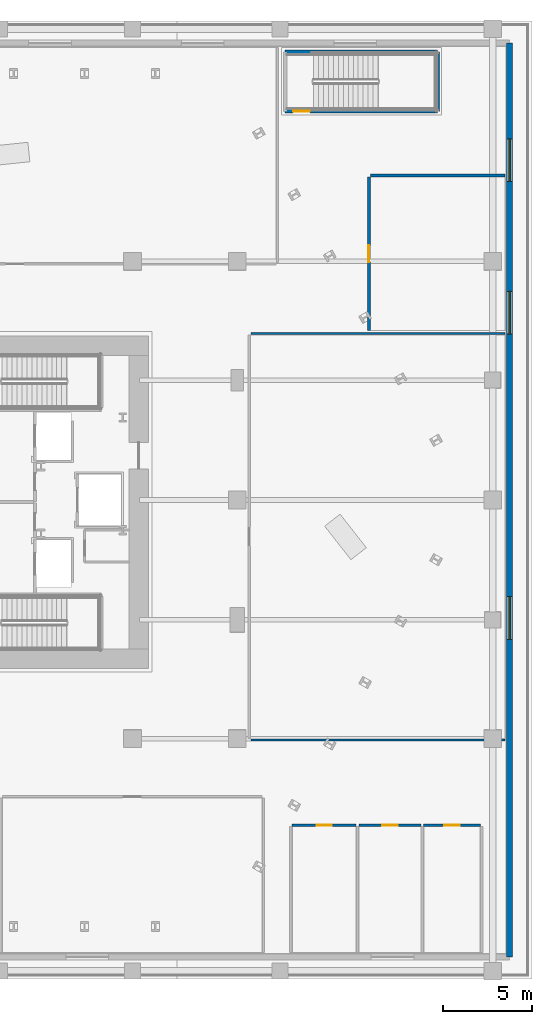
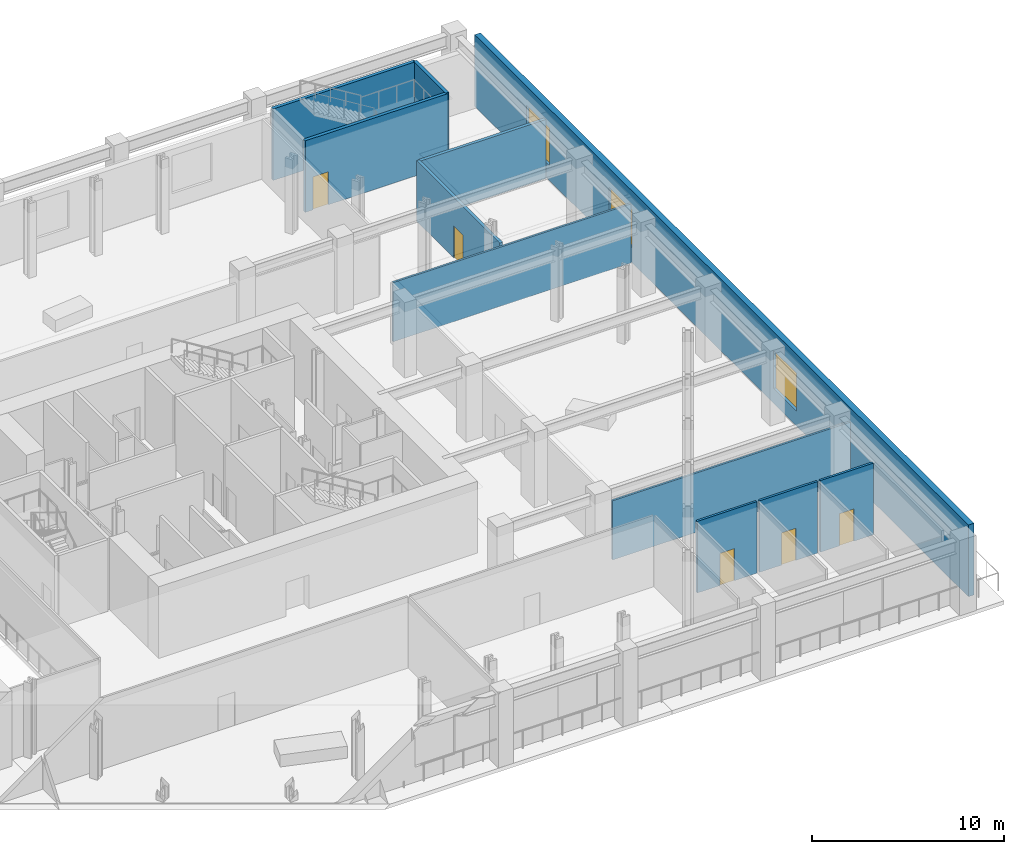
# One storey, part 7 of 19: 11 walls, 5 doors, 3 windows, 8 openings.
"""IFC4 building model written with IfcOpenShell, lengths in metres."""

from ifc_helpers import new_model, si_unit, direction, frame, frame_2d, origin, place, context, subcontext, project, spatial, rectangle, extrude, material, layer, layer_set, type_object, element, fill, save


model = new_model("IFC4")

# Units and contexts
model_context = context("Model", 3, precision=1e-05, world=origin(), true_north=direction((0.0, 1.0)))
body_context = subcontext(model_context, "Body", "Model", "MODEL_VIEW")
ifc_project = project(units=[si_unit("LENGTHUNIT", "METRE"), si_unit("AREAUNIT", "SQUARE_METRE"), si_unit("VOLUMEUNIT", "CUBIC_METRE"), si_unit("PLANEANGLEUNIT", "RADIAN"), si_unit("MASSUNIT", "GRAM", prefix="KILO")], contexts=[model_context])

# Site, building, storey
site_placement = place(None, origin())
site = spatial("IfcSite", under=ifc_project, at=site_placement, CompositionType="ELEMENT")
building_placement = place(site_placement, origin())
building = spatial("IfcBuilding", under=site, at=building_placement, Name="Valkerne Bourse Tower", CompositionType="ELEMENT")
storey_placement = place(building_placement, frame((0.0, 0.0, 5.39990234375)))
storey = spatial("IfcBuildingStorey", under=building, at=storey_placement, Name="L01", CompositionType="ELEMENT", Elevation=5.39990234375)

# Walls
ifc_material_1 = material(Name="Gypsum Board Steel-Stud Partition", Category="steel")
ifc_layer_1 = layer(ifc_material_1, 0.117919921875)
ifc_layer_set_1 = layer_set([ifc_layer_1], Name="Gypsum Board Steel-Stud Partition")
wall_type_1 = type_object("IfcWallType", Name="W-CORR-140", PredefinedType="PARTITIONING", material=ifc_layer_set_1)
for number, where, z_axis, x_axis, name in (
    (1, (62.179931640625, 36.3798828125, 0.0), (0.0, 0.0, 1.0), (1.0, 0.0, 0.0), "L01 L01 East Quantitative Analytics Office Wall"),
    (2, (62.179931640625, 13.47998046875, 0.0), (0.0, 0.0, 1.0), (1.0, 0.0, 0.0), "L01 L01 East Quantitative Analytics Office Wall"),
):
    element("IfcWall", number, at=place(storey_placement, frame(where, z_axis=z_axis, x_axis=x_axis)), inside=storey, type_object=wall_type_1, Name=name, PredefinedType="PARTITIONING", context=body_context, shape_type="SweptSolid", body=[
        extrude(rectangle(XDim=14.320068359375, YDim=0.117919921875, at=frame_2d((7.16015625, 0.0))), origin(), (0.0, 0.0, 1.0), 3.765380859375),
    ])

# Wall, openings, windows
ifc_material_2 = material(Name="Indiana Limestone Cladding", Category="masonry")
ifc_layer_2 = layer(ifc_material_2, 0.35009765625)
ifc_layer_set_2 = layer_set([ifc_layer_2], Name="Indiana Limestone Cladding")
wall_type_2 = type_object("IfcWallType", Name="W-EXT-LIMESTONE-350", PredefinedType="STANDARD", material=ifc_layer_set_2)
wall_1_placement = place(storey_placement, frame((76.75, 52.75, 0.0), z_axis=(0.0, 0.0, 1.0), x_axis=(0.0, -1.0, 0.0)))
wall_1 = element("IfcWall", 3, at=wall_1_placement, inside=storey, type_object=wall_type_2, Name="L01 Podium Exterior Wall EAST", PredefinedType="STANDARD", context=body_context, shape_type="SweptSolid", body=[
    extrude(rectangle(XDim=51.5, YDim=0.35009765625, at=frame_2d((25.75, 0.0))), origin(), (0.0, 0.0, 1.0), 4.56005859375),
])
opening_1_placement = place(wall_1_placement, frame((5.39990234375, 0.0, 0.949951171875)))
opening_1 = element("IfcOpeningElement", 4, at=opening_1_placement, cuts=wall_1, Name="Opening WN-02", PredefinedType="OPENING", context=body_context, shape_type="SweptSolid", body=[
    extrude(rectangle(XDim=2.39990234375, YDim=2.39990234375, at=frame_2d((1.199951171875, 1.199951171875))), frame((0.0, 0.18505859375, 0.0), z_axis=(0.0, -1.0, 0.0), x_axis=(1.0, 0.0, 0.0)), (0.0, 0.0, 1.0), 0.3701171875),
])
opening_2_placement = place(wall_1_placement, frame((14.0, 0.0, 0.949951171875)))
opening_2 = element("IfcOpeningElement", 5, at=opening_2_placement, cuts=wall_1, Name="Opening WN-02", PredefinedType="OPENING", context=body_context, shape_type="SweptSolid", body=[
    extrude(rectangle(XDim=2.39990234375, YDim=2.39990234375, at=frame_2d((1.199951171875, 1.199951171875))), frame((0.0, 0.18505859375, 0.0), z_axis=(0.0, -1.0, 0.0), x_axis=(1.0, 0.0, 0.0)), (0.0, 0.0, 1.0), 0.3701171875),
])
opening_3_placement = place(wall_1_placement, frame((31.199951171875, 0.0, 0.949951171875)))
opening_3 = element("IfcOpeningElement", 6, at=opening_3_placement, cuts=wall_1, Name="Opening WN-02", PredefinedType="OPENING", context=body_context, shape_type="SweptSolid", body=[
    extrude(rectangle(XDim=2.39990234375, YDim=2.39990234375, at=frame_2d((1.199951171875, 1.199951171875))), frame((0.0, 0.18505859375, 0.0), z_axis=(0.0, -1.0, 0.0), x_axis=(1.0, 0.0, 0.0)), (0.0, 0.0, 1.0), 0.3701171875),
])
ifc_material_3 = material(Name="Glass IGU Low-E Double Glazed", Category="glass")
window_type = type_object("IfcWindowType", Name="WIN-POD-2400X2400", PartitioningType="SINGLE_PANEL", PredefinedType="WINDOW", material=ifc_material_3)
window_1_placement = place(opening_1_placement, origin())
window_1 = element("IfcWindow", 7, at=window_1_placement, inside=storey, type_object=window_type, Name="L01 Podium Low-E Window 09", OverallHeight=2.39990234375, OverallWidth=2.39990234375, PartitioningType="SINGLE_PANEL", PredefinedType="WINDOW", context=body_context, shape_type="SweptSolid", body=[
    extrude(rectangle(XDim=2.39990234375, YDim=2.39990234375, at=frame_2d((1.199951171875, 1.199951171875))), frame((0.0, 0.030029296875, 0.0), z_axis=(0.0, -1.0, 0.0), x_axis=(1.0, 0.0, 0.0)), (0.0, 0.0, 1.0), 0.06005859375),
])
fill(opening_1, window_1)
window_2_placement = place(opening_2_placement, origin())
window_2 = element("IfcWindow", 8, at=window_2_placement, inside=storey, type_object=window_type, Name="L01 Podium Low-E Window 10", OverallHeight=2.39990234375, OverallWidth=2.39990234375, PartitioningType="SINGLE_PANEL", PredefinedType="WINDOW", context=body_context, shape_type="SweptSolid", body=[
    extrude(rectangle(XDim=2.39990234375, YDim=2.39990234375, at=frame_2d((1.199951171875, 1.199951171875))), frame((0.0, 0.030029296875, 0.0), z_axis=(0.0, -1.0, 0.0), x_axis=(1.0, 0.0, 0.0)), (0.0, 0.0, 1.0), 0.06005859375),
])
fill(opening_2, window_2)
window_3_placement = place(opening_3_placement, origin())
window_3 = element("IfcWindow", 9, at=window_3_placement, inside=storey, type_object=window_type, Name="L01 Podium Low-E Window 11", OverallHeight=2.39990234375, OverallWidth=2.39990234375, PartitioningType="SINGLE_PANEL", PredefinedType="WINDOW", context=body_context, shape_type="SweptSolid", body=[
    extrude(rectangle(XDim=2.39990234375, YDim=2.39990234375, at=frame_2d((1.199951171875, 1.199951171875))), frame((0.0, 0.030029296875, 0.0), z_axis=(0.0, -1.0, 0.0), x_axis=(1.0, 0.0, 0.0)), (0.0, 0.0, 1.0), 0.06005859375),
])
fill(opening_3, window_3)

# Wall
ifc_material_4 = material(Name="Gypsum Fire-Rated Shaftwall", Category="gypsum")
ifc_layer_3 = layer(ifc_material_4, 0.179931640625)
ifc_layer_set_3 = layer_set([ifc_layer_3], Name="Gypsum Fire-Rated Shaftwall")
wall_type_3 = type_object("IfcWallType", Name="W-FSAE-180", PredefinedType="PARTITIONING", material=ifc_layer_set_3)
wall_2_placement = place(storey_placement, frame((68.89990234375, 45.280029296875, 0.0), z_axis=(0.0, 0.0, 1.0), x_axis=(1.0, 0.0, 0.0)))
element("IfcWall", 10, at=wall_2_placement, inside=storey, type_object=wall_type_3, Name="L01 L01 Co-Location Server Room Wall", PredefinedType="PARTITIONING", context=body_context, shape_type="SweptSolid", body=[
    extrude(rectangle(XDim=7.60009765625, YDim=0.179931640625, at=frame_2d((3.800048828125, 0.0))), origin(), (0.0, 0.0, 1.0), 3.765380859375),
])

# Wall, opening, door
wall_3_placement = place(storey_placement, frame((68.820068359375, 36.550048828125, 0.0), z_axis=(0.0, 0.0, 1.0), x_axis=(0.0, 1.0, 0.0)))
wall_3 = element("IfcWall", 11, at=wall_3_placement, inside=storey, type_object=wall_type_3, Name="L01 L01 Co-Location Server Room Wall", PredefinedType="PARTITIONING", context=body_context, shape_type="SweptSolid", body=[
    extrude(rectangle(XDim=8.64990234375, YDim=0.179931640625, at=frame_2d((4.324951171875, 0.0))), origin(), (0.0, 0.0, 1.0), 3.856689453125),
])
opening_4_placement = place(wall_3_placement, frame((3.85009765625, 0.0, 0.0)))
opening_4 = element("IfcOpeningElement", 12, at=opening_4_placement, cuts=wall_3, Name="Opening D-SV-950", PredefinedType="OPENING", context=body_context, shape_type="SweptSolid", body=[
    extrude(rectangle(XDim=0.949951171875, YDim=2.050048828125, at=frame_2d((0.47509765625, 1.02490234375))), frame((0.0, 0.099853515625, 0.0), z_axis=(0.0, -1.0, 0.0), x_axis=(1.0, 0.0, 0.0)), (0.0, 0.0, 1.0), 0.199951171875),
])
ifc_material_5 = material(Name="Galvanised Painted Steel", Category="steel")
door_type_1 = type_object("IfcDoorType", Name="DR-SRV-950", OperationType="NOTDEFINED", PredefinedType="DOOR", material=ifc_material_5)
door_1_placement = place(opening_4_placement, origin())
door_1 = element("IfcDoor", 13, at=door_1_placement, inside=storey, type_object=door_type_1, Name="L01 L01 Server Room Door", OperationType="SINGLE_SWING_LEFT", OverallHeight=2.050048828125, OverallWidth=0.949951171875, PredefinedType="DOOR", context=body_context, shape_type="SweptSolid", body=[
    extrude(rectangle(XDim=0.949951171875, YDim=2.050048828125, at=frame_2d((0.47509765625, 1.02490234375))), frame((0.0, 0.02490234375, 0.0), z_axis=(0.0, -1.0, 0.0), x_axis=(1.0, 0.0, 0.0)), (0.0, 0.0, 1.0), 0.050048828125),
])
fill(opening_4, door_1)

ifc_material_6 = material(Name="Concrete C40/50", Category="concrete")
ifc_layer_4 = layer(ifc_material_6, 0.199951171875)
ifc_layer_set_4 = layer_set([ifc_layer_4], Name="Concrete C40/50")
wall_type_4 = type_object("IfcWallType", Name="W-SHF-200", PredefinedType="SHEAR", material=ifc_layer_set_4)
wall_4_placement = place(storey_placement, frame((64.10009765625, 48.89990234375, 0.0), z_axis=(0.0, 0.0, 1.0), x_axis=(1.0, 0.0, 0.0)))
wall_4 = element("IfcWall", 14, at=wall_4_placement, inside=storey, type_object=wall_type_4, Name="L01 Exit Stair ST-P2 Structural South Wall", PredefinedType="SHEAR", context=body_context, shape_type="SweptSolid", body=[
    extrude(rectangle(XDim=8.599853515625, YDim=0.199951171875, at=frame_2d((4.2998046875, 0.0))), origin(), (0.0, 0.0, 1.0), 4.56005859375),
])
opening_5_placement = place(wall_4_placement, frame((0.449951171875, 0.0, 0.0)))
opening_5 = element("IfcOpeningElement", 15, at=opening_5_placement, cuts=wall_4, Name="Opening D-ST-950", PredefinedType="OPENING", context=body_context, shape_type="SweptSolid", body=[
    extrude(rectangle(XDim=0.949951171875, YDim=2.10009765625, at=frame_2d((0.47509765625, 1.050048828125))), frame((0.0, 0.10986328125, 0.0), z_axis=(0.0, -1.0, 0.0), x_axis=(1.0, 0.0, 0.0)), (0.0, 0.0, 1.0), 0.219970703125),
])
door_type_2 = type_object("IfcDoorType", Name="DR-STAIR-950", OperationType="NOTDEFINED", PredefinedType="DOOR", material=ifc_material_5)
door_2_placement = place(opening_5_placement, origin())
door_2 = element("IfcDoor", 16, at=door_2_placement, inside=storey, type_object=door_type_2, Name="L01 Exit Stair ST-P2 Door", OperationType="SINGLE_SWING_LEFT", OverallHeight=2.10009765625, OverallWidth=0.949951171875, PredefinedType="DOOR", context=body_context, shape_type="SweptSolid", body=[
    extrude(rectangle(XDim=0.949951171875, YDim=2.10009765625, at=frame_2d((0.47509765625, 1.050048828125))), frame((0.0, 0.02490234375, 0.0), z_axis=(0.0, -1.0, 0.0), x_axis=(1.0, 0.0, 0.0)), (0.0, 0.0, 1.0), 0.050048828125),
])
fill(opening_5, door_2)

# Walls
wall_5_placement = place(storey_placement, frame((64.10009765625, 52.25, 0.0), z_axis=(0.0, 0.0, 1.0), x_axis=(1.0, 0.0, 0.0)))
element("IfcWall", 17, at=wall_5_placement, inside=storey, type_object=wall_type_4, Name="L01 Exit Stair ST-P2 Structural North Wall", PredefinedType="SHEAR", context=body_context, shape_type="SweptSolid", body=[
    extrude(rectangle(XDim=8.599853515625, YDim=0.199951171875, at=frame_2d((4.2998046875, 0.0))), origin(), (0.0, 0.0, 1.0), 4.56005859375),
])
wall_6_placement = place(storey_placement, frame((72.699951171875, 48.89990234375, 0.0), z_axis=(0.0, 0.0, 1.0), x_axis=(0.0, 1.0, 0.0)))
element("IfcWall", 18, at=wall_6_placement, inside=storey, type_object=wall_type_4, Name="L01 Exit Stair ST-P2 Structural East Wall", PredefinedType="SHEAR", context=body_context, shape_type="SweptSolid", body=[
    extrude(rectangle(XDim=3.35009765625, YDim=0.199951171875, at=frame_2d((1.675048828125, 0.0))), origin(), (0.0, 0.0, 1.0), 4.56005859375),
])

# Wall, opening, door
ifc_material_7 = material(Name="Moisture-Resistant Gypsum Partition", Category="gypsum")
ifc_layer_5 = layer(ifc_material_7, 0.139892578125)
ifc_layer_set_5 = layer_set([ifc_layer_5], Name="Moisture-Resistant Gypsum Partition")
wall_type_5 = type_object("IfcWallType", Name="W-WET-140", PredefinedType="PARTITIONING", material=ifc_layer_set_5)
wall_7_placement = place(storey_placement, frame((64.5, 8.679931640625, 0.0), z_axis=(0.0, 0.0, 1.0), x_axis=(1.0, 0.0, 0.0)))
wall_7 = element("IfcWall", 19, at=wall_7_placement, inside=storey, type_object=wall_type_5, Name="L01 L01 Men Bathroom WC Wall", PredefinedType="PARTITIONING", context=body_context, shape_type="SweptSolid", body=[
    extrude(rectangle(XDim=3.60009765625, YDim=0.139892578125, at=frame_2d((1.800048828125, 0.0))), origin(), (0.0, 0.0, 1.0), 4.56005859375),
])
opening_6_placement = place(wall_7_placement, frame((1.3701171875, 0.0, 0.0)))
opening_6 = element("IfcOpeningElement", 20, at=opening_6_placement, cuts=wall_7, Name="Opening D-WC-900", PredefinedType="OPENING", context=body_context, shape_type="SweptSolid", body=[
    extrude(rectangle(XDim=0.860107421875, YDim=2.050048828125, at=frame_2d((0.43017578125, 1.02490234375))), frame((0.0, 0.079833984375, 0.0), z_axis=(0.0, -1.0, 0.0), x_axis=(1.0, 0.0, 0.0)), (0.0, 0.0, 1.0), 0.159912109375),
])
ifc_material_8 = material(Name="Architectural White Oak Timber", Category="wood")
door_type_3 = type_object("IfcDoorType", Name="DR-WC-900", OperationType="NOTDEFINED", PredefinedType="DOOR", material=ifc_material_8)
door_3_placement = place(opening_6_placement, origin())
door_3 = element("IfcDoor", 21, at=door_3_placement, inside=storey, type_object=door_type_3, Name="L01 L01 Men WC Door", OperationType="SINGLE_SWING_RIGHT", OverallHeight=2.050048828125, OverallWidth=0.860107421875, PredefinedType="DOOR", context=body_context, shape_type="SweptSolid", body=[
    extrude(rectangle(XDim=0.860107421875, YDim=2.050048828125, at=frame_2d((0.43017578125, 1.02490234375))), frame((0.0, 0.02490234375, 0.0), z_axis=(0.0, -1.0, 0.0), x_axis=(1.0, 0.0, 0.0)), (0.0, 0.0, 1.0), 0.050048828125),
])
fill(opening_6, door_3)

wall_8_placement = place(storey_placement, frame((68.260009765625, 8.679931640625, 0.0), z_axis=(0.0, 0.0, 1.0), x_axis=(1.0, 0.0, 0.0)))
wall_8 = element("IfcWall", 22, at=wall_8_placement, inside=storey, type_object=wall_type_5, Name="L01 L01 Women Bathroom WC Wall", PredefinedType="PARTITIONING", context=body_context, shape_type="SweptSolid", body=[
    extrude(rectangle(XDim=3.489990234375, YDim=0.139892578125, at=frame_2d((1.7451171875, 0.0))), origin(), (0.0, 0.0, 1.0), 4.56005859375),
])
opening_7_placement = place(wall_8_placement, frame((1.31494140625, 0.0, 0.0)))
opening_7 = element("IfcOpeningElement", 23, at=opening_7_placement, cuts=wall_8, Name="Opening D-WC-900", PredefinedType="OPENING", context=body_context, shape_type="SweptSolid", body=[
    extrude(rectangle(XDim=0.860107421875, YDim=2.050048828125, at=frame_2d((0.43017578125, 1.02490234375))), frame((0.0, 0.079833984375, 0.0), z_axis=(0.0, -1.0, 0.0), x_axis=(1.0, 0.0, 0.0)), (0.0, 0.0, 1.0), 0.159912109375),
])
door_4_placement = place(opening_7_placement, origin())
door_4 = element("IfcDoor", 24, at=door_4_placement, inside=storey, type_object=door_type_3, Name="L01 L01 Women WC Door", OperationType="SINGLE_SWING_RIGHT", OverallHeight=2.050048828125, OverallWidth=0.860107421875, PredefinedType="DOOR", context=body_context, shape_type="SweptSolid", body=[
    extrude(rectangle(XDim=0.860107421875, YDim=2.050048828125, at=frame_2d((0.43017578125, 1.02490234375))), frame((0.0, 0.02490234375, 0.0), z_axis=(0.0, -1.0, 0.0), x_axis=(1.0, 0.0, 0.0)), (0.0, 0.0, 1.0), 0.050048828125),
])
fill(opening_7, door_4)

wall_9_placement = place(storey_placement, frame((71.909912109375, 8.679931640625, 0.0), z_axis=(0.0, 0.0, 1.0), x_axis=(1.0, 0.0, 0.0)))
wall_9 = element("IfcWall", 25, at=wall_9_placement, inside=storey, type_object=wall_type_5, Name="L01 L01 Accessible Bathroom WC Wall", PredefinedType="PARTITIONING", context=body_context, shape_type="SweptSolid", body=[
    extrude(rectangle(XDim=3.190185546875, YDim=0.139892578125, at=frame_2d((1.59521484375, 0.0))), origin(), (0.0, 0.0, 1.0), 4.56005859375),
])
opening_8_placement = place(wall_9_placement, frame((1.1650390625, 0.0, 0.0)))
opening_8 = element("IfcOpeningElement", 26, at=opening_8_placement, cuts=wall_9, Name="Opening D-WC-900", PredefinedType="OPENING", context=body_context, shape_type="SweptSolid", body=[
    extrude(rectangle(XDim=0.860107421875, YDim=2.050048828125, at=frame_2d((0.43017578125, 1.02490234375))), frame((0.0, 0.079833984375, 0.0), z_axis=(0.0, -1.0, 0.0), x_axis=(1.0, 0.0, 0.0)), (0.0, 0.0, 1.0), 0.159912109375),
])
door_5_placement = place(opening_8_placement, origin())
door_5 = element("IfcDoor", 27, at=door_5_placement, inside=storey, type_object=door_type_3, Name="L01 L01 Accessible WC Door", OperationType="SINGLE_SWING_RIGHT", OverallHeight=2.050048828125, OverallWidth=0.860107421875, PredefinedType="DOOR", context=body_context, shape_type="SweptSolid", body=[
    extrude(rectangle(XDim=0.860107421875, YDim=2.050048828125, at=frame_2d((0.43017578125, 1.02490234375))), frame((0.0, 0.02490234375, 0.0), z_axis=(0.0, -1.0, 0.0), x_axis=(1.0, 0.0, 0.0)), (0.0, 0.0, 1.0), 0.050048828125),
])
fill(opening_8, door_5)

save(model, "model.ifc")
